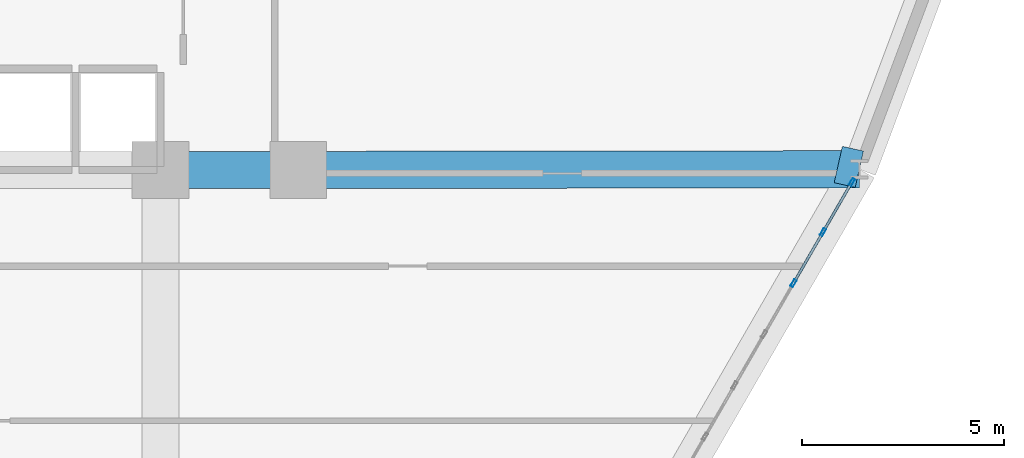
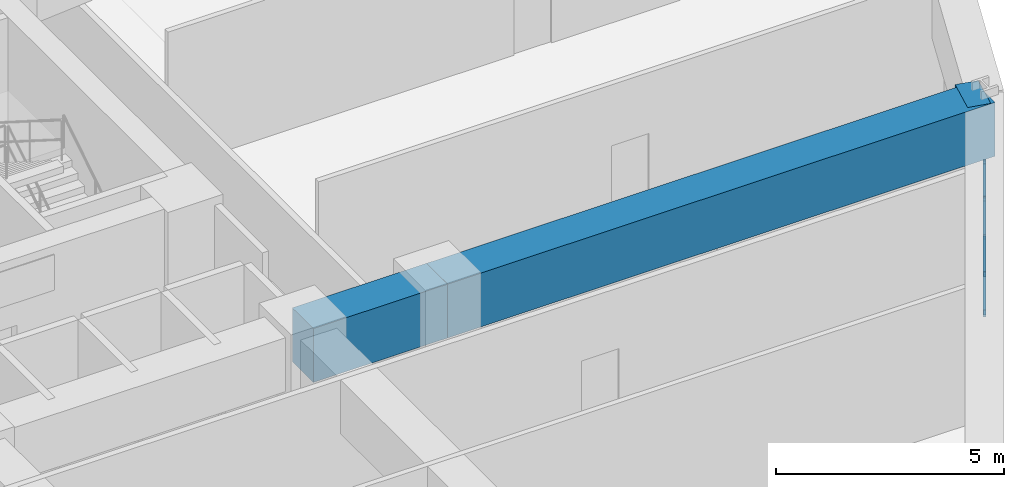
# One storey, part 8 of 18: 7 members, 3 beams, 1 element without a shape of its own.
"""IFC4 building model written with IfcOpenShell, lengths in metres."""

import ifcopenshell
import ifcopenshell.guid

model = None  # the IFC model being written
_history = None  # IfcOwnerHistory: only IFC2X3 demands one
_inside = {}  # id of a spatial element -> (the spatial element, [elements in it])
_under = {}  # id of a project, library or spatial element -> (it, [spatial elements below it])
_declared = {}  # id of a project -> (the project, [libraries it declares])
_typed = {}  # id of a type object -> (the type object, [elements of that type])
_made_of = {}  # id of a material, layer set ... -> (it, [elements and type objects made of it])


def new_model(schema):
    """Start an empty IFC model of exactly this schema.

    Asked for "IFC4X3", IfcOpenShell would pick the latest addendum, in which some entities
    have other attributes; the version numbers below select the first issue.
    IFC2X3 requires an IfcOwnerHistory on every rooted entity: one is made here for all.
    """
    global model, _history
    if schema == "IFC4X3":
        model = ifcopenshell.file(schema_version=(4, 3, 0, 0))
    else:
        model = ifcopenshell.file(schema=schema)
    _inside.clear()
    _under.clear()
    _declared.clear()
    _typed.clear()
    _made_of.clear()
    _history = None
    if model.schema == "IFC2X3":
        org = make("IfcOrganization", Name="unknown")
        user = make(
            "IfcPersonAndOrganization",
            ThePerson=make("IfcPerson", FamilyName="unknown"),
            TheOrganization=org,
        )
        app = make(
            "IfcApplication",
            ApplicationDeveloper=org,
            Version="unknown",
            ApplicationFullName="unknown",
            ApplicationIdentifier="unknown",
        )
        _history = make(
            "IfcOwnerHistory",
            OwningUser=user,
            OwningApplication=app,
            ChangeAction="ADDED",
            CreationDate=0,
        )
    return model


def make(cls, **values):
    """One entity of the class cls with the attributes given. An attribute that is None is left unset."""
    return model.create_entity(
        cls, **{name: value for name, value in values.items() if value is not None}
    )


def rooted(cls, **values):
    """An entity with a GlobalId (a new one), such as an element, a storey or a relation."""
    return make(cls, GlobalId=ifcopenshell.guid.new(), OwnerHistory=_history, **values)


def si_unit(unit_type, name, prefix=None):
    """IfcSIUnit, for example si_unit("LENGTHUNIT", "METRE", prefix="MILLI")."""
    return make("IfcSIUnit", UnitType=unit_type, Prefix=prefix, Name=name)


def derived_unit(unit_type, elements):
    """IfcDerivedUnit: a product of units, each with its exponent."""
    return make(
        "IfcDerivedUnit",
        Elements=[
            make("IfcDerivedUnitElement", Unit=unit, Exponent=power)
            for unit, power in elements
        ],
        UnitType=unit_type,
    )


def assignment(units):
    """IfcUnitAssignment: the units of a project."""
    return None if units is None else make("IfcUnitAssignment", Units=units)


def point(xyz):
    """IfcCartesianPoint."""
    return None if xyz is None else make("IfcCartesianPoint", Coordinates=xyz)


def direction(xyz):
    """IfcDirection."""
    return None if xyz is None else make("IfcDirection", DirectionRatios=xyz)


def frame(location, z_axis=None, x_axis=None):
    """IfcAxis2Placement3D, a coordinate frame: its origin and axes. An axis left out is left unset."""
    return make(
        "IfcAxis2Placement3D",
        Location=point(location),
        Axis=direction(z_axis),
        RefDirection=direction(x_axis),
    )


def frame_2d(location, x_axis=None):
    """IfcAxis2Placement2D, a coordinate frame in the plane: its origin and x axis."""
    return make(
        "IfcAxis2Placement2D", Location=point(location), RefDirection=direction(x_axis)
    )


def origin():
    """The frame at (0, 0, 0) with its axes left unset."""
    return frame((0.0, 0.0, 0.0))


def origin_2d():
    """The frame at (0, 0) in the plane with its x axis left unset."""
    return frame_2d((0.0, 0.0))


def place(relative_to, where):
    """IfcLocalPlacement: puts the frame where relative to a parent placement (None: the world)."""
    return make(
        "IfcLocalPlacement", PlacementRelTo=relative_to, RelativePlacement=where
    )


def context(
    kind, dimensions, precision=None, world=None, true_north=None, identifier=None
):
    """IfcGeometricRepresentationContext, for example the 3D "Model" context."""
    return make(
        "IfcGeometricRepresentationContext",
        ContextIdentifier=identifier,
        ContextType=kind,
        CoordinateSpaceDimension=dimensions,
        Precision=precision,
        WorldCoordinateSystem=world,
        TrueNorth=true_north,
    )


def subcontext(parent, identifier, kind, view, scale=None):
    """IfcGeometricRepresentationSubContext, for example "Body" below "Model"."""
    return make(
        "IfcGeometricRepresentationSubContext",
        ContextIdentifier=identifier,
        ContextType=kind,
        ParentContext=parent,
        TargetScale=scale,
        TargetView=view,
    )


def project(units=None, contexts=None):
    """IfcProject with its units and contexts."""
    return rooted(
        "IfcProject",
        Name="project",
        RepresentationContexts=contexts,
        UnitsInContext=assignment(units),
    )


def spatial(cls, under=None, at=None, **own):
    """A site, building, storey or space (cls), placed at a placement, below another one or the project."""
    s = rooted(cls, ObjectPlacement=at, **own)
    if under is not None:
        _under.setdefault(under.id(), (under, []))[1].append(s)
    return s


def profile(cls, at=None, kind="AREA", **sizes):
    """A parametric profile (cls). Its sizes go by their IFC names, for example OverallWidth=200.0."""
    return make(cls, ProfileType=kind, Position=at, **sizes)


def rectangle(**sizes):
    """IfcRectangleProfileDef."""
    return profile("IfcRectangleProfileDef", **sizes)


def hollow_rectangle(**sizes):
    """IfcRectangleHollowProfileDef."""
    return profile("IfcRectangleHollowProfileDef", **sizes)


def extrude(swept, where, along, depth):
    """IfcExtrudedAreaSolid: the profile swept, set in the frame where, extruded along a direction by depth."""
    return make(
        "IfcExtrudedAreaSolid",
        SweptArea=swept,
        Position=where,
        ExtrudedDirection=direction(along),
        Depth=depth,
    )


def shape(context_of_items, identifier, shape_type, items):
    """IfcShapeRepresentation: the items that make up one representation, for example the "Body"."""
    return make(
        "IfcShapeRepresentation",
        ContextOfItems=context_of_items,
        RepresentationIdentifier=identifier,
        RepresentationType=shape_type,
        Items=items,
    )


def source(mapping_origin, context_of_items, identifier, shape_type, items):
    """IfcRepresentationMap: a shape defined once, which mapped items show again and again."""
    return make(
        "IfcRepresentationMap",
        MappingOrigin=mapping_origin,
        MappedRepresentation=shape(context_of_items, identifier, shape_type, items),
    )


def transform(
    local_origin,
    x_axis=None,
    y_axis=None,
    z_axis=None,
    scale=None,
    scale2=None,
    scale3=None,
    uniform=True,
):
    """IfcCartesianTransformationOperator3D, or its non-uniform kind. x_axis, y_axis, z_axis: its Axis1, 2, 3."""
    if uniform:
        return make(
            "IfcCartesianTransformationOperator3D",
            Axis1=direction(x_axis),
            Axis2=direction(y_axis),
            LocalOrigin=point(local_origin),
            Scale=scale,
            Axis3=direction(z_axis),
        )
    return make(
        "IfcCartesianTransformationOperator3DnonUniform",
        Axis1=direction(x_axis),
        Axis2=direction(y_axis),
        LocalOrigin=point(local_origin),
        Scale=scale,
        Axis3=direction(z_axis),
        Scale2=scale2,
        Scale3=scale3,
    )


def mapped(mapping_source, mapping_target):
    """IfcMappedItem: shows the shape of a source again, moved by a transform."""
    return make(
        "IfcMappedItem", MappingSource=mapping_source, MappingTarget=mapping_target
    )


def material(Name=None, Category=None):
    """IfcMaterial."""
    return make("IfcMaterial", Name=Name, Category=Category)


def layer(
    of_material, thickness, ventilated=None, Name=None, Category=None, Priority=None
):
    """IfcMaterialLayer: one layer of a wall or slab, of a material (None: an air gap)."""
    return make(
        "IfcMaterialLayer",
        Material=of_material,
        LayerThickness=thickness,
        IsVentilated=ventilated,
        Name=Name,
        Category=Category,
        Priority=Priority,
    )


def layer_set(layers, Name=None):
    """IfcMaterialLayerSet."""
    return make("IfcMaterialLayerSet", MaterialLayers=layers, LayerSetName=Name)


def material_profile(
    of_material, cross_section, Name=None, Category=None, Priority=None
):
    """IfcMaterialProfile: a cross section and its material."""
    return make(
        "IfcMaterialProfile",
        Name=Name,
        Material=of_material,
        Profile=cross_section,
        Priority=Priority,
        Category=Category,
    )


def profile_set(profiles, Name=None, composite=None):
    """IfcMaterialProfileSet."""
    return make(
        "IfcMaterialProfileSet",
        Name=Name,
        MaterialProfiles=profiles,
        CompositeProfile=composite,
    )


def made_of(thing, what):
    """Note that an element or type object is made of a material, layer set ...; save() writes the relation."""
    if what is not None:
        _made_of.setdefault(what.id(), (what, []))[1].append(thing)
    return thing


def type_object(cls, material=None, **own):
    """A type object (cls), such as IfcWallType, which elements share."""
    return made_of(rooted(cls, **own), material)


def element(
    cls,
    number,
    at=None,
    inside=None,
    cuts=None,
    type_object=None,
    material=None,
    context=None,
    identifier="Body",
    shape_type=None,
    held_by="IfcProductDefinitionShape",
    body=None,
    shapes=None,
    **own,
):
    """One element of the class cls, such as IfcWall. Its Tag is "e" and its number.

    at: its placement. inside: the storey or other place that contains it. cuts: it is an
    opening in that element (IfcRelVoidsElement). A single representation is given by context,
    identifier, shape_type and body (its items); several are given by shapes. held_by: the class
    of the entity that holds the representations. save() writes the other relations.
    """
    e = rooted(cls, Tag="e%d" % number, ObjectPlacement=at, **own)
    if body is not None:
        shapes = [shape(context, identifier, shape_type, body)]
    if shapes is not None:
        e.Representation = make(held_by, Representations=shapes)
    if inside is not None:
        _inside.setdefault(inside.id(), (inside, []))[1].append(e)
    if cuts is not None:
        rooted(
            "IfcRelVoidsElement", RelatingBuildingElement=cuts, RelatedOpeningElement=e
        )
    if type_object is not None:
        _typed.setdefault(type_object.id(), (type_object, []))[1].append(e)
    return made_of(e, material)


def aggregate(whole, parts):
    """IfcRelAggregates: a whole, such as a stair, and the parts it consists of."""
    return rooted("IfcRelAggregates", RelatingObject=whole, RelatedObjects=parts)


def save(model, path):
    """Write the relations noted so far, then the file.

    IfcRelAggregates (storeys below a building ...), IfcRelContainedInSpatialStructure (elements
    in a storey), IfcRelDefinesByType, IfcRelAssociatesMaterial and IfcRelDeclares: one each for
    every whole, place, type object, material and project.
    """
    for whole, parts in _under.values():
        aggregate(whole, parts)
    for where, things in _inside.values():
        rooted(
            "IfcRelContainedInSpatialStructure",
            RelatedElements=things,
            RelatingStructure=where,
        )
    for kind, things in _typed.values():
        rooted("IfcRelDefinesByType", RelatedObjects=things, RelatingType=kind)
    for what, things in _made_of.values():
        rooted("IfcRelAssociatesMaterial", RelatedObjects=things, RelatingMaterial=what)
    for by, libraries in _declared.values():
        rooted("IfcRelDeclares", RelatingContext=by, RelatedDefinitions=libraries)
    model.write(path)


model = new_model("IFC4")

# Units and contexts
model_context = context("Model", 3, precision=1e-05, world=origin(), true_north=direction((0.0, 1.0)))
body_context = subcontext(model_context, "Body", "Model", "MODEL_VIEW")
ifc_project = project(units=[si_unit("LENGTHUNIT", "METRE"), si_unit("AREAUNIT", "SQUARE_METRE"), si_unit("VOLUMEUNIT", "CUBIC_METRE"), si_unit("PLANEANGLEUNIT", "RADIAN"), si_unit("MASSUNIT", "GRAM", prefix="KILO"), derived_unit("THERMALTRANSMITTANCEUNIT", [(si_unit("POWERUNIT", "WATT"), 1), (si_unit("LENGTHUNIT", "METRE"), -2), (si_unit("THERMODYNAMICTEMPERATUREUNIT", "KELVIN"), -1)])], contexts=[model_context])

# Site, building, storey
site_placement = place(None, origin())
site = spatial("IfcSite", under=ifc_project, at=site_placement, CompositionType="ELEMENT")
building_placement = place(site_placement, origin())
building = spatial("IfcBuilding", under=site, at=building_placement, Name="Korsvarv Bourse and Concert Hall", CompositionType="ELEMENT")
storey_placement = place(building_placement, frame((0.0, 0.0, 71.699951171875)))
storey = spatial("IfcBuildingStorey", under=building, at=storey_placement, Name="L17", CompositionType="ELEMENT", Elevation=71.699951171875)

# Beams
ifc_material_1 = material(Name="Concrete C50/60", Category="concrete")
ifc_material_profile_1 = material_profile(ifc_material_1, rectangle(XDim=0.919921875, YDim=1.43994140625, at=origin_2d()), Name="RC-BM 920x1440")
ifc_profile_set_1 = profile_set([ifc_material_profile_1], Name="Concrete C50/60")
beam_type = type_object("IfcBeamType", Name="BM-TR-144", PredefinedType="BEAM", material=ifc_profile_set_1)
shared_shape_1 = source(origin(), body_context, "Body", "SweptSolid", [
    extrude(rectangle(XDim=0.919921875, YDim=1.43994140625, at=origin_2d()), origin(), (0.0, 0.0, 1.0), 3.400146484375),
])
beam_1_placement = place(storey_placement, frame((44.39990234375, 32.39990234375, 2.9599609375), z_axis=(1.0, 0.0, 0.0), x_axis=(0.0, 1.0, 0.0)))
element("IfcBeam", 1, at=beam_1_placement, inside=storey, type_object=beam_type, Name="L17 beam B-TR4", PredefinedType="BEAM", context=body_context, shape_type="MappedRepresentation", body=[
    mapped(shared_shape_1, transform((0.0, 0.0, 0.0), scale=1.0)),
])
shared_shape_2 = source(origin(), body_context, "Body", "SweptSolid", [
    extrude(rectangle(XDim=0.919921875, YDim=1.43994140625, at=origin_2d()), origin(), (0.0, 0.0, 1.0), 13.860107421875),
])
beam_2_placement = place(storey_placement, frame((61.66015625, 32.41650390625, 2.9599609375), z_axis=(-0.999999282645, -0.001197793789, 0.0), x_axis=(0.001197793789, -0.999999282645, 0.0)))
element("IfcBeam", 2, at=beam_2_placement, inside=storey, type_object=beam_type, Name="L17 beam B-TR4", PredefinedType="BEAM", context=body_context, shape_type="MappedRepresentation", body=[
    mapped(shared_shape_2, transform((0.0, 0.0, 0.0), scale=1.0)),
])
shared_shape_3 = source(origin(), body_context, "Body", "SweptSolid", [
    extrude(rectangle(XDim=0.919921875, YDim=1.43994140625, at=origin_2d()), origin(), (0.0, 0.0, 1.0), 0.532958984375),
])
beam_3_placement = place(storey_placement, frame((61.66015625, 32.41650390625, 2.9599609375), z_axis=(-0.975317022048, 0.220809208374, 0.0), x_axis=(-0.220809208374, -0.975317022048, 0.0)))
element("IfcBeam", 3, at=beam_3_placement, inside=storey, type_object=beam_type, Name="L17 beam B-TR4", PredefinedType="BEAM", context=body_context, shape_type="MappedRepresentation", body=[
    mapped(shared_shape_3, transform((0.0, 0.0, 0.0), scale=1.0)),
])

# Curtain wall, members
ifc_material_2 = material(Name="Anodised aluminium and triple low-E glazing", Category="glass")
ifc_layer = layer(ifc_material_2, 0.219970703125)
ifc_layer_set = layer_set([ifc_layer], Name="Anodised aluminium and triple low-E glazing")
curtain_wall_type = type_object("IfcCurtainWallType", Name="CW-SYS-1", PredefinedType="NOTDEFINED", material=ifc_layer_set)
curtain_wall_placement = place(storey_placement, origin())
curtain_wall = element("IfcCurtainWall", 4, at=curtain_wall_placement, inside=storey, type_object=curtain_wall_type, Name="L17 CW1 curtain wall CW-L17-F11", PredefinedType="NOTDEFINED")
ifc_material_3 = material(Name="Extruded aluminium EN AW-6063 T66", Category="aluminium")
ifc_material_profile_2 = material_profile(ifc_material_3, hollow_rectangle(XDim=0.070068359375, YDim=0.18994140625, WallThickness=0.0048828125, at=origin_2d()), Name="ALU-M 70x190")
ifc_profile_set_2 = profile_set([ifc_material_profile_2], Name="Extruded aluminium EN AW-6063 T66")
member_type_1 = type_object("IfcMemberType", Name="CWM-190", PredefinedType="MULLION", material=ifc_profile_set_2)
shared_shape_4 = source(origin(), body_context, "Body", "SweptSolid", [
    extrude(hollow_rectangle(XDim=0.070068359375, YDim=0.18994140625, WallThickness=0.0048828125, at=origin_2d()), origin(), (0.0, 0.0, 1.0), 2.080078125),
])
member_1_placement = place(storey_placement, frame((60.035400390625, 29.602294921875, 0.0), z_axis=(0.0, 0.0, 1.0), x_axis=(-0.86602191759, 0.500006038217, 0.0)))
member_1 = element("IfcMember", 5, at=member_1_placement, type_object=member_type_1, Name="CW1 mullion 9", PredefinedType="MULLION", context=body_context, shape_type="MappedRepresentation", body=[
    mapped(shared_shape_4, transform((0.0, 0.0, 0.0), scale=1.0)),
])
member_2_placement = place(storey_placement, frame((60.764892578125, 30.865966796875, 0.0), z_axis=(0.0, 0.0, 1.0), x_axis=(-0.86602191759, 0.500006038217, 0.0)))
member_2 = element("IfcMember", 6, at=member_2_placement, type_object=member_type_1, Name="CW1 mullion 10", PredefinedType="MULLION", context=body_context, shape_type="MappedRepresentation", body=[
    mapped(shared_shape_4, transform((0.0, 0.0, 0.0), scale=1.0)),
])
member_3_placement = place(storey_placement, frame((61.47705078125, 32.09912109375, 0.0), z_axis=(0.0, 0.0, 1.0), x_axis=(-0.86602191759, 0.500006038217, 0.0)))
member_3 = element("IfcMember", 7, at=member_3_placement, type_object=member_type_1, Name="CW1 mullion 11", PredefinedType="MULLION", context=body_context, shape_type="MappedRepresentation", body=[
    mapped(shared_shape_4, transform((0.0, 0.0, 0.0), scale=1.0)),
])
ifc_material_profile_3 = material_profile(ifc_material_3, hollow_rectangle(XDim=0.06494140625, YDim=0.139892578125, WallThickness=0.00390625, at=origin_2d()), Name="ALU-T 65x140")
ifc_profile_set_3 = profile_set([ifc_material_profile_3], Name="Extruded aluminium EN AW-6063 T66")
member_type_2 = type_object("IfcMemberType", Name="CWT-140", PredefinedType="USERDEFINED", material=ifc_profile_set_3)
shared_shape_5 = source(origin(), body_context, "Body", "SweptSolid", [
    extrude(hollow_rectangle(XDim=0.06494140625, YDim=0.139892578125, WallThickness=0.00390625, at=origin_2d()), origin(), (0.0, 0.0, 1.0), 1.35400390625),
])
member_4_placement = place(storey_placement, frame((60.782470703125, 30.896240234375, 0.032470703125), z_axis=(0.499998195608, 0.866026445548, 0.0), x_axis=(-0.866026445548, 0.499998195608, 0.0)))
member_4 = element("IfcMember", 8, at=member_4_placement, type_object=member_type_2, Name="CW1 transom 10.1", ObjectType="TRANSOM", PredefinedType="USERDEFINED", context=body_context, shape_type="MappedRepresentation", body=[
    mapped(shared_shape_5, transform((0.0, 0.0, 0.0), scale=1.0)),
])
member_5_placement = place(storey_placement, frame((60.782470703125, 30.896240234375, 2.047607421875), z_axis=(0.499998195608, 0.866026445548, 0.0), x_axis=(-0.866026445548, 0.499998195608, 0.0)))
member_5 = element("IfcMember", 9, at=member_5_placement, type_object=member_type_2, Name="CW1 transom 10.2", ObjectType="TRANSOM", PredefinedType="USERDEFINED", context=body_context, shape_type="MappedRepresentation", body=[
    mapped(shared_shape_5, transform((0.0, 0.0, 0.0), scale=1.0)),
])
shared_shape_6 = source(origin(), body_context, "Body", "SweptSolid", [
    extrude(hollow_rectangle(XDim=0.06494140625, YDim=0.139892578125, WallThickness=0.00390625, at=origin_2d()), origin(), (0.0, 0.0, 1.0), 1.38916015625),
])
member_6_placement = place(storey_placement, frame((60.052978515625, 29.632568359375, 0.032470703125), z_axis=(0.499975994823, 0.866039262737, 0.0), x_axis=(-0.866039262737, 0.499975994823, 0.0)))
member_6 = element("IfcMember", 10, at=member_6_placement, type_object=member_type_2, Name="CW1 transom 9.1", ObjectType="TRANSOM", PredefinedType="USERDEFINED", context=body_context, shape_type="MappedRepresentation", body=[
    mapped(shared_shape_6, transform((0.0, 0.0, 0.0), scale=1.0)),
])
member_7_placement = place(storey_placement, frame((60.052978515625, 29.632568359375, 2.047607421875), z_axis=(0.499975994823, 0.866039262737, 0.0), x_axis=(-0.866039262737, 0.499975994823, 0.0)))
member_7 = element("IfcMember", 11, at=member_7_placement, type_object=member_type_2, Name="CW1 transom 9.2", ObjectType="TRANSOM", PredefinedType="USERDEFINED", context=body_context, shape_type="MappedRepresentation", body=[
    mapped(shared_shape_6, transform((0.0, 0.0, 0.0), scale=1.0)),
])
aggregate(curtain_wall, [member_1, member_2, member_3, member_6, member_7, member_4, member_5])

save(model, "model.ifc")
